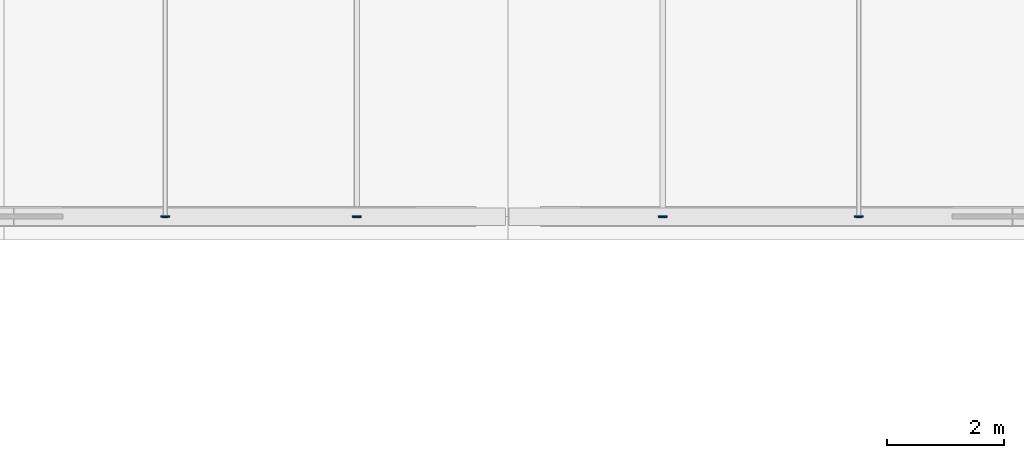
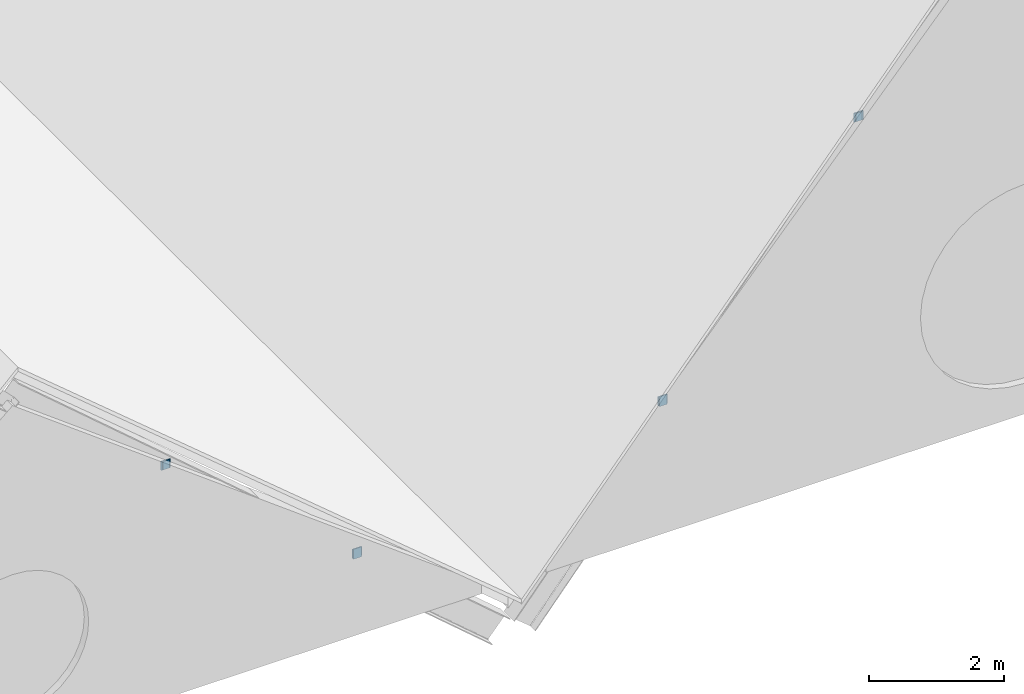
# One storey, part 43 of 64: 8 plates.
"""IFC4 building model written with IfcOpenShell, lengths in metres."""

from ifc_helpers import new_model, si_unit, direction, frame, origin, origin_2d, place, context, subcontext, project, spatial, rectangle, extrude, material, layer, layer_set, type_object, element, save


model = new_model("IFC4")

# Units and contexts
model_context = context("Model", 3, precision=1e-05, world=origin(), true_north=direction((0.0, 1.0)))
body_context = subcontext(model_context, "Body", "Model", "MODEL_VIEW")
ifc_project = project(units=[si_unit("LENGTHUNIT", "METRE"), si_unit("AREAUNIT", "SQUARE_METRE"), si_unit("VOLUMEUNIT", "CUBIC_METRE"), si_unit("PLANEANGLEUNIT", "RADIAN"), si_unit("MASSUNIT", "GRAM", prefix="KILO")], contexts=[model_context])

# Site, building, storey
site_placement = place(None, origin())
site = spatial("IfcSite", under=ifc_project, at=site_placement, CompositionType="ELEMENT")
building_placement = place(site_placement, origin())
building = spatial("IfcBuilding", under=site, at=building_placement, Name="Zhaolan Boulevard Law Courts", CompositionType="ELEMENT")
storey_placement = place(building_placement, frame((0.0, 0.0, 20.39990234375)))
storey = spatial("IfcBuildingStorey", under=building, at=storey_placement, Name="L04", CompositionType="ELEMENT", Elevation=20.39990234375)

# Plates
ifc_material = material(Name="Structural steel Q355B", Category="steel")
ifc_layer = layer(ifc_material, 0.02001953125)
ifc_layer_set = layer_set([ifc_layer])
plate_type = type_object("IfcPlateType", Name="END CAP PLATE 20", PredefinedType="SHEET", material=ifc_layer_set)
for number, where, z_axis, x_axis, name in (
    (1, (113.419921875, 62.0, 1.4931640625), (0.0, 0.0, 1.0), (1.0, 0.0, 0.0), "Purlin End-Cap Plate ECP-GPR4ES"),
    (2, (110.152099609375, 62.0, 4.22900390625), (0.0, 0.0, 1.0), (1.0, 0.0, 0.0), "Purlin End-Cap Plate ECP-GPR4ES"),
    (3, (118.639892578125, 62.0, 2.4189453125), (0.0, 0.0, 1.0), (1.0, 0.0, 0.0), "Purlin End-Cap Plate ECP-GPR5WS"),
    (4, (121.98388671875, 62.0, 6.37109375), (0.0, 0.0, 1.0), (1.0, 0.0, 0.0), "Purlin End-Cap Plate ECP-GPR5WS"),
):
    element("IfcPlate", number, at=place(storey_placement, frame(where, z_axis=z_axis, x_axis=x_axis)), inside=storey, type_object=plate_type, Name=name, PredefinedType="SHEET", context=body_context, shape_type="SweptSolid", body=[
        extrude(rectangle(XDim=0.159912109375, YDim=0.02001953125, at=origin_2d()), origin(), (0.0, 0.0, 1.0), 0.159912109375),
    ])
plate_1_placement = place(storey_placement, frame((113.419921875, 61.991943359375, 1.48291015625), z_axis=(0.0, 0.0, 1.0), x_axis=(0.0, 1.0, 0.0)))
element("IfcPlate", 5, at=plate_1_placement, inside=storey, type_object=plate_type, Name="Hollow Section End-Cap Plate ECP-1451", PredefinedType="SHEET", context=body_context, shape_type="SweptSolid", body=[
    extrude(rectangle(XDim=0.02001953125, YDim=0.1298828125, at=origin_2d()), origin(), (0.0, 0.0, 1.0), 0.179931640625),
])
plate_2_placement = place(storey_placement, frame((110.152099609375, 61.991943359375, 4.234130859375), z_axis=(0.0, 0.0, 1.0), x_axis=(0.0, 1.0, 0.0)))
element("IfcPlate", 6, at=plate_2_placement, inside=storey, type_object=plate_type, Name="Hollow Section End-Cap Plate ECP-1455", PredefinedType="SHEET", context=body_context, shape_type="SweptSolid", body=[
    extrude(rectangle(XDim=0.02001953125, YDim=0.110107421875, at=origin_2d()), origin(), (0.0, 0.0, 1.0), 0.14990234375),
])
plate_3_placement = place(storey_placement, frame((118.639892578125, 61.991943359375, 2.4091796875), z_axis=(0.0, 0.0, 1.0), x_axis=(0.0, 1.0, 0.0)))
element("IfcPlate", 7, at=plate_3_placement, inside=storey, type_object=plate_type, Name="Hollow Section End-Cap Plate ECP-1457", PredefinedType="SHEET", context=body_context, shape_type="SweptSolid", body=[
    extrude(rectangle(XDim=0.02001953125, YDim=0.1298828125, at=origin_2d()), origin(), (0.0, 0.0, 1.0), 0.179931640625),
])
plate_4_placement = place(storey_placement, frame((121.98388671875, 61.991943359375, 6.376220703125), z_axis=(0.0, 0.0, 1.0), x_axis=(0.0, 1.0, 0.0)))
element("IfcPlate", 8, at=plate_4_placement, inside=storey, type_object=plate_type, Name="Hollow Section End-Cap Plate ECP-1461", PredefinedType="SHEET", context=body_context, shape_type="SweptSolid", body=[
    extrude(rectangle(XDim=0.02001953125, YDim=0.110107421875, at=origin_2d()), origin(), (0.0, 0.0, 1.0), 0.14990234375),
])

save(model, "model.ifc")
